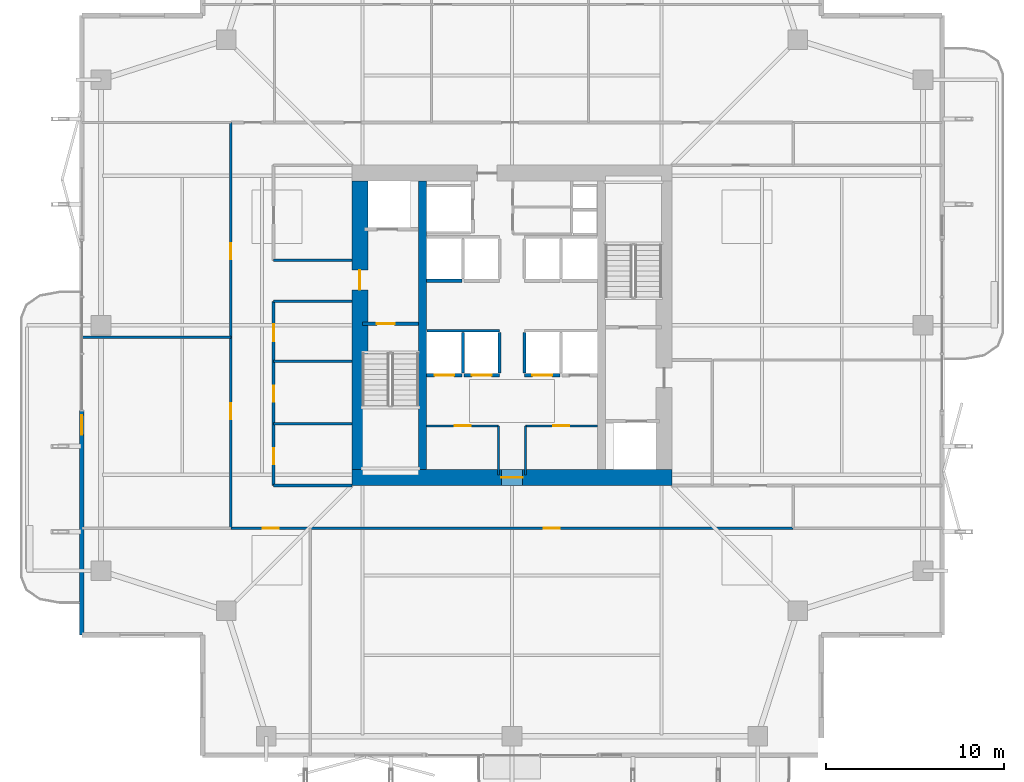
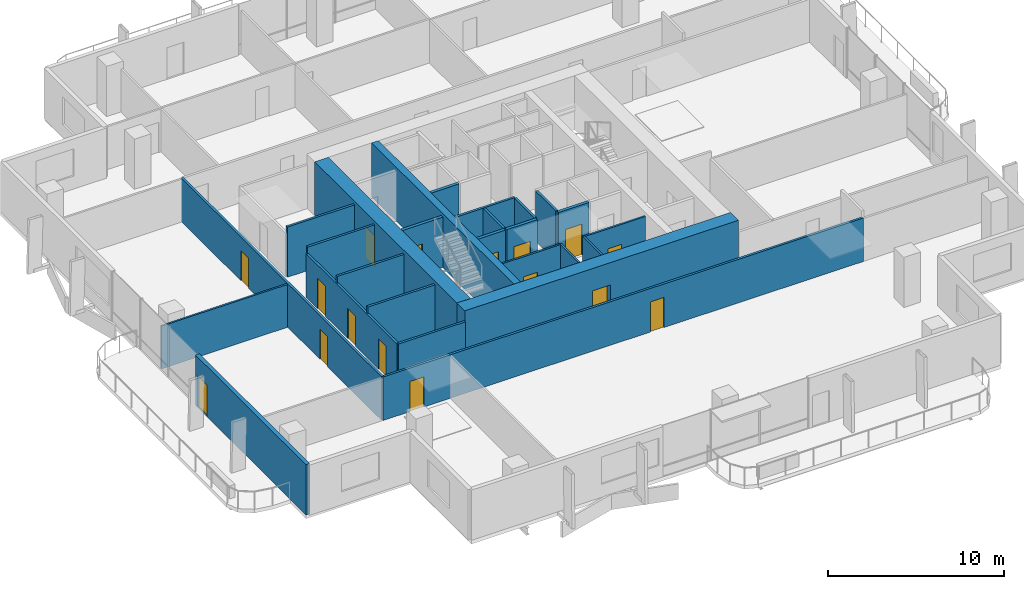
# One storey, part 18 of 25: 26 walls, 16 doors, 16 openings.
"""IFC4 building model written with IfcOpenShell, lengths in metres."""

import ifcopenshell
import ifcopenshell.guid

model = None  # the IFC model being written
_history = None  # IfcOwnerHistory: only IFC2X3 demands one
_inside = {}  # id of a spatial element -> (the spatial element, [elements in it])
_under = {}  # id of a project, library or spatial element -> (it, [spatial elements below it])
_declared = {}  # id of a project -> (the project, [libraries it declares])
_typed = {}  # id of a type object -> (the type object, [elements of that type])
_made_of = {}  # id of a material, layer set ... -> (it, [elements and type objects made of it])


def new_model(schema):
    """Start an empty IFC model of exactly this schema.

    Asked for "IFC4X3", IfcOpenShell would pick the latest addendum, in which some entities
    have other attributes; the version numbers below select the first issue.
    IFC2X3 requires an IfcOwnerHistory on every rooted entity: one is made here for all.
    """
    global model, _history
    if schema == "IFC4X3":
        model = ifcopenshell.file(schema_version=(4, 3, 0, 0))
    else:
        model = ifcopenshell.file(schema=schema)
    _inside.clear()
    _under.clear()
    _declared.clear()
    _typed.clear()
    _made_of.clear()
    _history = None
    if model.schema == "IFC2X3":
        org = make("IfcOrganization", Name="unknown")
        user = make(
            "IfcPersonAndOrganization",
            ThePerson=make("IfcPerson", FamilyName="unknown"),
            TheOrganization=org,
        )
        app = make(
            "IfcApplication",
            ApplicationDeveloper=org,
            Version="unknown",
            ApplicationFullName="unknown",
            ApplicationIdentifier="unknown",
        )
        _history = make(
            "IfcOwnerHistory",
            OwningUser=user,
            OwningApplication=app,
            ChangeAction="ADDED",
            CreationDate=0,
        )
    return model


def make(cls, **values):
    """One entity of the class cls with the attributes given. An attribute that is None is left unset."""
    return model.create_entity(
        cls, **{name: value for name, value in values.items() if value is not None}
    )


def rooted(cls, **values):
    """An entity with a GlobalId (a new one), such as an element, a storey or a relation."""
    return make(cls, GlobalId=ifcopenshell.guid.new(), OwnerHistory=_history, **values)


def si_unit(unit_type, name, prefix=None):
    """IfcSIUnit, for example si_unit("LENGTHUNIT", "METRE", prefix="MILLI")."""
    return make("IfcSIUnit", UnitType=unit_type, Prefix=prefix, Name=name)


def assignment(units):
    """IfcUnitAssignment: the units of a project."""
    return None if units is None else make("IfcUnitAssignment", Units=units)


def point(xyz):
    """IfcCartesianPoint."""
    return None if xyz is None else make("IfcCartesianPoint", Coordinates=xyz)


def direction(xyz):
    """IfcDirection."""
    return None if xyz is None else make("IfcDirection", DirectionRatios=xyz)


def frame(location, z_axis=None, x_axis=None):
    """IfcAxis2Placement3D, a coordinate frame: its origin and axes. An axis left out is left unset."""
    return make(
        "IfcAxis2Placement3D",
        Location=point(location),
        Axis=direction(z_axis),
        RefDirection=direction(x_axis),
    )


def frame_2d(location, x_axis=None):
    """IfcAxis2Placement2D, a coordinate frame in the plane: its origin and x axis."""
    return make(
        "IfcAxis2Placement2D", Location=point(location), RefDirection=direction(x_axis)
    )


def origin():
    """The frame at (0, 0, 0) with its axes left unset."""
    return frame((0.0, 0.0, 0.0))


def place(relative_to, where):
    """IfcLocalPlacement: puts the frame where relative to a parent placement (None: the world)."""
    return make(
        "IfcLocalPlacement", PlacementRelTo=relative_to, RelativePlacement=where
    )


def context(
    kind, dimensions, precision=None, world=None, true_north=None, identifier=None
):
    """IfcGeometricRepresentationContext, for example the 3D "Model" context."""
    return make(
        "IfcGeometricRepresentationContext",
        ContextIdentifier=identifier,
        ContextType=kind,
        CoordinateSpaceDimension=dimensions,
        Precision=precision,
        WorldCoordinateSystem=world,
        TrueNorth=true_north,
    )


def subcontext(parent, identifier, kind, view, scale=None):
    """IfcGeometricRepresentationSubContext, for example "Body" below "Model"."""
    return make(
        "IfcGeometricRepresentationSubContext",
        ContextIdentifier=identifier,
        ContextType=kind,
        ParentContext=parent,
        TargetScale=scale,
        TargetView=view,
    )


def project(units=None, contexts=None):
    """IfcProject with its units and contexts."""
    return rooted(
        "IfcProject",
        Name="project",
        RepresentationContexts=contexts,
        UnitsInContext=assignment(units),
    )


def spatial(cls, under=None, at=None, **own):
    """A site, building, storey or space (cls), placed at a placement, below another one or the project."""
    s = rooted(cls, ObjectPlacement=at, **own)
    if under is not None:
        _under.setdefault(under.id(), (under, []))[1].append(s)
    return s


def profile(cls, at=None, kind="AREA", **sizes):
    """A parametric profile (cls). Its sizes go by their IFC names, for example OverallWidth=200.0."""
    return make(cls, ProfileType=kind, Position=at, **sizes)


def rectangle(**sizes):
    """IfcRectangleProfileDef."""
    return profile("IfcRectangleProfileDef", **sizes)


def extrude(swept, where, along, depth):
    """IfcExtrudedAreaSolid: the profile swept, set in the frame where, extruded along a direction by depth."""
    return make(
        "IfcExtrudedAreaSolid",
        SweptArea=swept,
        Position=where,
        ExtrudedDirection=direction(along),
        Depth=depth,
    )


def shape(context_of_items, identifier, shape_type, items):
    """IfcShapeRepresentation: the items that make up one representation, for example the "Body"."""
    return make(
        "IfcShapeRepresentation",
        ContextOfItems=context_of_items,
        RepresentationIdentifier=identifier,
        RepresentationType=shape_type,
        Items=items,
    )


def material(Name=None, Category=None):
    """IfcMaterial."""
    return make("IfcMaterial", Name=Name, Category=Category)


def layer(
    of_material, thickness, ventilated=None, Name=None, Category=None, Priority=None
):
    """IfcMaterialLayer: one layer of a wall or slab, of a material (None: an air gap)."""
    return make(
        "IfcMaterialLayer",
        Material=of_material,
        LayerThickness=thickness,
        IsVentilated=ventilated,
        Name=Name,
        Category=Category,
        Priority=Priority,
    )


def layer_set(layers, Name=None):
    """IfcMaterialLayerSet."""
    return make("IfcMaterialLayerSet", MaterialLayers=layers, LayerSetName=Name)


def made_of(thing, what):
    """Note that an element or type object is made of a material, layer set ...; save() writes the relation."""
    if what is not None:
        _made_of.setdefault(what.id(), (what, []))[1].append(thing)
    return thing


def type_object(cls, material=None, **own):
    """A type object (cls), such as IfcWallType, which elements share."""
    return made_of(rooted(cls, **own), material)


def element(
    cls,
    number,
    at=None,
    inside=None,
    cuts=None,
    type_object=None,
    material=None,
    context=None,
    identifier="Body",
    shape_type=None,
    held_by="IfcProductDefinitionShape",
    body=None,
    shapes=None,
    **own,
):
    """One element of the class cls, such as IfcWall. Its Tag is "e" and its number.

    at: its placement. inside: the storey or other place that contains it. cuts: it is an
    opening in that element (IfcRelVoidsElement). A single representation is given by context,
    identifier, shape_type and body (its items); several are given by shapes. held_by: the class
    of the entity that holds the representations. save() writes the other relations.
    """
    e = rooted(cls, Tag="e%d" % number, ObjectPlacement=at, **own)
    if body is not None:
        shapes = [shape(context, identifier, shape_type, body)]
    if shapes is not None:
        e.Representation = make(held_by, Representations=shapes)
    if inside is not None:
        _inside.setdefault(inside.id(), (inside, []))[1].append(e)
    if cuts is not None:
        rooted(
            "IfcRelVoidsElement", RelatingBuildingElement=cuts, RelatedOpeningElement=e
        )
    if type_object is not None:
        _typed.setdefault(type_object.id(), (type_object, []))[1].append(e)
    return made_of(e, material)


def fill(opening, filler):
    """IfcRelFillsElement: the door or window that sits in an opening."""
    return rooted(
        "IfcRelFillsElement",
        RelatingOpeningElement=opening,
        RelatedBuildingElement=filler,
    )


def aggregate(whole, parts):
    """IfcRelAggregates: a whole, such as a stair, and the parts it consists of."""
    return rooted("IfcRelAggregates", RelatingObject=whole, RelatedObjects=parts)


def save(model, path):
    """Write the relations noted so far, then the file.

    IfcRelAggregates (storeys below a building ...), IfcRelContainedInSpatialStructure (elements
    in a storey), IfcRelDefinesByType, IfcRelAssociatesMaterial and IfcRelDeclares: one each for
    every whole, place, type object, material and project.
    """
    for whole, parts in _under.values():
        aggregate(whole, parts)
    for where, things in _inside.values():
        rooted(
            "IfcRelContainedInSpatialStructure",
            RelatedElements=things,
            RelatingStructure=where,
        )
    for kind, things in _typed.values():
        rooted("IfcRelDefinesByType", RelatedObjects=things, RelatingType=kind)
    for what, things in _made_of.values():
        rooted("IfcRelAssociatesMaterial", RelatedObjects=things, RelatingMaterial=what)
    for by, libraries in _declared.values():
        rooted("IfcRelDeclares", RelatingContext=by, RelatedDefinitions=libraries)
    model.write(path)


model = new_model("IFC4")

# Units and contexts
model_context = context("Model", 3, precision=1e-05, world=origin(), true_north=direction((0.0, 1.0)))
body_context = subcontext(model_context, "Body", "Model", "MODEL_VIEW")
ifc_project = project(units=[si_unit("LENGTHUNIT", "METRE"), si_unit("AREAUNIT", "SQUARE_METRE"), si_unit("VOLUMEUNIT", "CUBIC_METRE"), si_unit("PLANEANGLEUNIT", "RADIAN"), si_unit("MASSUNIT", "GRAM", prefix="KILO")], contexts=[model_context])

# Site, building, storey
site_placement = place(None, origin())
site = spatial("IfcSite", under=ifc_project, at=site_placement, CompositionType="ELEMENT")
building_placement = place(site_placement, origin())
building = spatial("IfcBuilding", under=site, at=building_placement, Name="Belovzor Exchange Tower", CompositionType="ELEMENT")
storey_placement = place(building_placement, frame((0.0, 0.0, 164.550048828125)))
storey = spatial("IfcBuildingStorey", under=building, at=storey_placement, Name="L40", CompositionType="ELEMENT", Elevation=164.550048828125)

# Wall
ifc_material_1 = material(Name="Acoustic Plasterboard on Galvanised Studs", Category="gypsum")
ifc_layer_1 = layer(ifc_material_1, 0.1201171875)
ifc_layer_set_1 = layer_set([ifc_layer_1], Name="Acoustic Plasterboard on Galvanised Studs")
wall_type_1 = type_object("IfcWallType", Name="Acoustic Double-Stud Partition Wall 120", PredefinedType="PARTITIONING", material=ifc_layer_set_1)
wall_1_placement = place(storey_placement, frame((4.6298828125, 28.1298828125, 0.0), z_axis=(0.0, 0.0, 1.0), x_axis=(1.0, 0.0, 0.0)))
element("IfcWall", 1, at=wall_1_placement, inside=storey, type_object=wall_type_1, Name="W-P120 Partition Wall W-L40-WDIV-1", PredefinedType="PARTITIONING", context=body_context, shape_type="SweptSolid", body=[
    extrude(rectangle(XDim=8.3701171875, YDim=0.1201171875, at=frame_2d((4.18505859375, 0.0))), origin(), (0.0, 0.0, 1.0), 2.97998046875),
])

# Wall, opening, door
ifc_material_2 = material(Name="Fire-Rated Plasterboard on Galvanised Studs", Category="gypsum")
ifc_layer_2 = layer(ifc_material_2, 0.1201171875)
ifc_layer_set_2 = layer_set([ifc_layer_2], Name="Fire-Rated Plasterboard on Galvanised Studs")
wall_type_2 = type_object("IfcWallType", Name="Fire-Rated Double-Stud Partition Wall 120", PredefinedType="PARTITIONING", material=ifc_layer_set_2)
wall_2_placement = place(storey_placement, frame((24.0, 23.14990234375, 0.0), z_axis=(0.0, 0.0, 1.0), x_axis=(1.0, 0.0, 0.0)))
wall_2 = element("IfcWall", 2, at=wall_2_placement, inside=storey, type_object=wall_type_2, Name="W-P120F Partition Wall W-CRL-L40-WN", PredefinedType="PARTITIONING", context=body_context, shape_type="SweptSolid", body=[
    extrude(rectangle(XDim=4.050048828125, YDim=0.1201171875, at=frame_2d((2.02490234375, 0.0))), origin(), (0.0, 0.0, 1.0), 3.494873046875),
])
opening_1_placement = place(wall_2_placement, frame((1.574951171875, 0.0, 0.0)))
opening_1 = element("IfcOpeningElement", 3, at=opening_1_placement, cuts=wall_2, Name="Opening D-FD60-090", PredefinedType="OPENING", context=body_context, shape_type="SweptSolid", body=[
    extrude(rectangle(XDim=0.89990234375, YDim=2.10009765625, at=frame_2d((0.449951171875, 1.050048828125))), frame((0.0, 0.070068359375, 0.0), z_axis=(0.0, -1.0, 0.0), x_axis=(1.0, 0.0, 0.0)), (0.0, 0.0, 1.0), 0.14013671875),
])
ifc_material_3 = material(Name="Acoustic Timber Fire Leaf", Category="wood")
door_type_1 = type_object("IfcDoorType", Name="Core Service & Restroom Fire Door 900x2100", OperationType="NOTDEFINED", PredefinedType="DOOR", material=ifc_material_3)
door_1_placement = place(opening_1_placement, origin())
door_1 = element("IfcDoor", 4, at=door_1_placement, inside=storey, type_object=door_type_1, Name="D-FD60-090 Core Service & Restroom Fire Door 900x2100", OperationType="SINGLE_SWING_LEFT", OverallHeight=2.10009765625, OverallWidth=0.89990234375, PredefinedType="DOOR", context=body_context, shape_type="SweptSolid", body=[
    extrude(rectangle(XDim=0.89990234375, YDim=2.10009765625, at=frame_2d((0.449951171875, 1.050048828125))), frame((0.0, 0.02490234375, 0.0), z_axis=(0.0, -1.0, 0.0), x_axis=(1.0, 0.0, 0.0)), (0.0, 0.0, 1.0), 0.050048828125),
])
fill(opening_1, door_1)

# Wall
wall_3_placement = place(storey_placement, frame((28.050048828125, 20.39990234375, 0.0), z_axis=(0.0, 0.0, 1.0), x_axis=(0.0, 1.0, 0.0)))
element("IfcWall", 5, at=wall_3_placement, inside=storey, type_object=wall_type_2, Name="W-P120F Partition Wall W-CRL-L40-WE", PredefinedType="PARTITIONING", context=body_context, shape_type="SweptSolid", body=[
    extrude(rectangle(XDim=2.75, YDim=0.1201171875, at=frame_2d((1.375, 0.0))), origin(), (0.0, 0.0, 1.0), 3.494873046875),
])

# Wall, opening, door
wall_4_placement = place(storey_placement, frame((29.550048828125, 23.14990234375, 0.0), z_axis=(0.0, 0.0, 1.0), x_axis=(1.0, 0.0, 0.0)))
wall_4 = element("IfcWall", 6, at=wall_4_placement, inside=storey, type_object=wall_type_2, Name="W-P120F Partition Wall W-CRL-L40-EN", PredefinedType="PARTITIONING", context=body_context, shape_type="SweptSolid", body=[
    extrude(rectangle(XDim=4.050048828125, YDim=0.1201171875, at=frame_2d((2.02490234375, 0.0))), origin(), (0.0, 0.0, 1.0), 3.494873046875),
])
opening_2_placement = place(wall_4_placement, frame((1.574951171875, 0.0, 0.0)))
opening_2 = element("IfcOpeningElement", 7, at=opening_2_placement, cuts=wall_4, Name="Opening D-FD60-090", PredefinedType="OPENING", context=body_context, shape_type="SweptSolid", body=[
    extrude(rectangle(XDim=0.89990234375, YDim=2.10009765625, at=frame_2d((0.449951171875, 1.050048828125))), frame((0.0, 0.070068359375, 0.0), z_axis=(0.0, -1.0, 0.0), x_axis=(1.0, 0.0, 0.0)), (0.0, 0.0, 1.0), 0.14013671875),
])
door_2_placement = place(opening_2_placement, origin())
door_2 = element("IfcDoor", 8, at=door_2_placement, inside=storey, type_object=door_type_1, Name="D-FD60-090 Core Service & Restroom Fire Door 900x2100", OperationType="SINGLE_SWING_RIGHT", OverallHeight=2.10009765625, OverallWidth=0.89990234375, PredefinedType="DOOR", context=body_context, shape_type="SweptSolid", body=[
    extrude(rectangle(XDim=0.89990234375, YDim=2.10009765625, at=frame_2d((0.449951171875, 1.050048828125))), frame((0.0, 0.02490234375, 0.0), z_axis=(0.0, -1.0, 0.0), x_axis=(1.0, 0.0, 0.0)), (0.0, 0.0, 1.0), 0.050048828125),
])
fill(opening_2, door_2)

# Walls
wall_5_placement = place(storey_placement, frame((29.550048828125, 20.39990234375, 0.0), z_axis=(0.0, 0.0, 1.0), x_axis=(0.0, 1.0, 0.0)))
element("IfcWall", 9, at=wall_5_placement, inside=storey, type_object=wall_type_2, Name="W-P120F Partition Wall W-CRL-L40-EW", PredefinedType="PARTITIONING", context=body_context, shape_type="SweptSolid", body=[
    extrude(rectangle(XDim=2.75, YDim=0.1201171875, at=frame_2d((1.375, 0.0))), origin(), (0.0, 0.0, 1.0), 3.494873046875),
])
ifc_material_4 = material(Name="Fire-Rated Gypsum Block and Mineral Wool", Category="gypsum")
ifc_layer_3 = layer(ifc_material_4, 0.14990234375)
ifc_layer_set_3 = layer_set([ifc_layer_3], Name="Fire-Rated Gypsum Block and Mineral Wool")
wall_type_3 = type_object("IfcWallType", Name="Fire-Rated Gypsum Block Corridor Wall 150", PredefinedType="PARTITIONING", material=ifc_layer_set_3)
wall_6_placement = place(storey_placement, frame((15.39990234375, 19.800048828125, 0.0), z_axis=(0.0, 0.0, 1.0), x_axis=(1.0, 0.0, 0.0)))
element("IfcWall", 10, at=wall_6_placement, inside=storey, type_object=wall_type_3, Name="W-P150 Partition Wall W-L40-WIC-S", PredefinedType="PARTITIONING", context=body_context, shape_type="SweptSolid", body=[
    extrude(rectangle(XDim=4.400146484375, YDim=0.14990234375, at=frame_2d((2.2001953125, 0.0))), origin(), (0.0, 0.0, 1.0), 3.030029296875),
])
for number, where, z_axis, x_axis, name in (
    (11, (15.39990234375, 23.27490234375, 0.0), (0.0, 0.0, 1.0), (1.0, 0.0, 0.0), "W-P150 Partition Wall W-L40-WIC-D1"),
    (12, (15.39990234375, 26.77490234375, 0.0), (0.0, 0.0, 1.0), (1.0, 0.0, 0.0), "W-P150 Partition Wall W-L40-WIC-D2"),
    (13, (15.39990234375, 30.14990234375, 0.0), (0.0, 0.0, 1.0), (1.0, 0.0, 0.0), "W-P150 Partition Wall W-L40-WIC-N"),
    (14, (15.39990234375, 32.449951171875, 0.0), (0.0, 0.0, 1.0), (1.0, 0.0, 0.0), "W-P150 Partition Wall W-L40-CFW-N"),
):
    element("IfcWall", number, at=place(storey_placement, frame(where, z_axis=z_axis, x_axis=x_axis)), inside=storey, type_object=wall_type_3, Name=name, PredefinedType="PARTITIONING", context=body_context, shape_type="SweptSolid", body=[
        extrude(rectangle(XDim=4.400146484375, YDim=0.14990234375, at=frame_2d((2.2001953125, 0.0))), origin(), (0.0, 0.0, 1.0), 3.494873046875),
    ])

# Wall, openings, doors
wall_7_placement = place(storey_placement, frame((15.39990234375, 19.800048828125, 0.0), z_axis=(0.0, 0.0, 1.0), x_axis=(0.0, 1.0, 0.0)))
wall_7 = element("IfcWall", 15, at=wall_7_placement, inside=storey, type_object=wall_type_3, Name="W-P150 Partition Wall W-L40-WIE-S", PredefinedType="PARTITIONING", context=body_context, shape_type="SweptSolid", body=[
    extrude(rectangle(XDim=10.349853515625, YDim=0.14990234375, at=frame_2d((5.1748046875, 0.0))), origin(), (0.0, 0.0, 1.0), 3.030029296875),
])
opening_3_placement = place(wall_7_placement, frame((1.199951171875, 0.0, 0.0)))
opening_3 = element("IfcOpeningElement", 16, at=opening_3_placement, cuts=wall_7, Name="Opening D-FD60-090", PredefinedType="OPENING", context=body_context, shape_type="SweptSolid", body=[
    extrude(rectangle(XDim=0.89990234375, YDim=2.10009765625, at=frame_2d((0.449951171875, 1.050048828125))), frame((0.0, 0.0849609375, 0.0), z_axis=(0.0, -1.0, 0.0), x_axis=(1.0, 0.0, 0.0)), (0.0, 0.0, 1.0), 0.169921875),
])
opening_4_placement = place(wall_7_placement, frame((4.699951171875, 0.0, 0.0)))
opening_4 = element("IfcOpeningElement", 17, at=opening_4_placement, cuts=wall_7, Name="Opening D-FD60-090", PredefinedType="OPENING", context=body_context, shape_type="SweptSolid", body=[
    extrude(rectangle(XDim=0.89990234375, YDim=2.10009765625, at=frame_2d((0.449951171875, 1.050048828125))), frame((0.0, 0.0849609375, 0.0), z_axis=(0.0, -1.0, 0.0), x_axis=(1.0, 0.0, 0.0)), (0.0, 0.0, 1.0), 0.169921875),
])
opening_5_placement = place(wall_7_placement, frame((8.10009765625, 0.0, 0.0)))
opening_5 = element("IfcOpeningElement", 18, at=opening_5_placement, cuts=wall_7, Name="Opening D-FD60-095", PredefinedType="OPENING", context=body_context, shape_type="SweptSolid", body=[
    extrude(rectangle(XDim=0.949951171875, YDim=2.10009765625, at=frame_2d((0.47509765625, 1.050048828125))), frame((0.0, 0.0849609375, 0.0), z_axis=(0.0, -1.0, 0.0), x_axis=(1.0, 0.0, 0.0)), (0.0, 0.0, 1.0), 0.169921875),
])
ifc_material_5 = material(Name="Moisture-Resistant Timber Fire Leaf", Category="wood")
door_type_2 = type_object("IfcDoorType", Name="Accessible Restroom Wide Fire Door 950x2100", OperationType="NOTDEFINED", PredefinedType="DOOR", material=ifc_material_5)
door_3_placement = place(opening_5_placement, origin())
door_3 = element("IfcDoor", 19, at=door_3_placement, inside=storey, type_object=door_type_2, Name="D-FD60-095 Accessible Restroom Wide Fire Door 950x2100", OperationType="SINGLE_SWING_LEFT", OverallHeight=2.10009765625, OverallWidth=0.949951171875, PredefinedType="DOOR", context=body_context, shape_type="SweptSolid", body=[
    extrude(rectangle(XDim=0.949951171875, YDim=2.10009765625, at=frame_2d((0.47509765625, 1.050048828125))), frame((0.0, 0.02490234375, 0.0), z_axis=(0.0, -1.0, 0.0), x_axis=(1.0, 0.0, 0.0)), (0.0, 0.0, 1.0), 0.050048828125),
])
fill(opening_5, door_3)
door_4_placement = place(opening_3_placement, origin())
door_4 = element("IfcDoor", 20, at=door_4_placement, inside=storey, type_object=door_type_1, Name="D-FD60-090 Core Service & Restroom Fire Door 900x2100", OperationType="SINGLE_SWING_LEFT", OverallHeight=2.10009765625, OverallWidth=0.89990234375, PredefinedType="DOOR", context=body_context, shape_type="SweptSolid", body=[
    extrude(rectangle(XDim=0.89990234375, YDim=2.10009765625, at=frame_2d((0.449951171875, 1.050048828125))), frame((0.0, 0.02490234375, 0.0), z_axis=(0.0, -1.0, 0.0), x_axis=(1.0, 0.0, 0.0)), (0.0, 0.0, 1.0), 0.050048828125),
])
fill(opening_3, door_4)
door_5_placement = place(opening_4_placement, origin())
door_5 = element("IfcDoor", 21, at=door_5_placement, inside=storey, type_object=door_type_1, Name="D-FD60-090 Core Service & Restroom Fire Door 900x2100", OperationType="SINGLE_SWING_RIGHT", OverallHeight=2.10009765625, OverallWidth=0.89990234375, PredefinedType="DOOR", context=body_context, shape_type="SweptSolid", body=[
    extrude(rectangle(XDim=0.89990234375, YDim=2.10009765625, at=frame_2d((0.449951171875, 1.050048828125))), frame((0.0, 0.02490234375, 0.0), z_axis=(0.0, -1.0, 0.0), x_axis=(1.0, 0.0, 0.0)), (0.0, 0.0, 1.0), 0.050048828125),
])
fill(opening_4, door_5)

wall_8_placement = place(storey_placement, frame((13.0, 17.39990234375, 0.0), z_axis=(0.0, 0.0, 1.0), x_axis=(1.0, 0.0, 0.0)))
wall_8 = element("IfcWall", 22, at=wall_8_placement, inside=storey, type_object=wall_type_3, Name="W-P150 Partition Wall W-L40-CS", PredefinedType="PARTITIONING", context=body_context, shape_type="SweptSolid", body=[
    extrude(rectangle(XDim=31.60009765625, YDim=0.14990234375, at=frame_2d((15.800048828125, 0.0))), origin(), (0.0, 0.0, 1.0), 3.030029296875),
])
opening_6_placement = place(wall_8_placement, frame((1.780029296875, 0.0, 0.0)))
opening_6 = element("IfcOpeningElement", 23, at=opening_6_placement, cuts=wall_8, Name="Opening D-INT-090", PredefinedType="OPENING", context=body_context, shape_type="SweptSolid", body=[
    extrude(rectangle(XDim=0.89990234375, YDim=2.10009765625, at=frame_2d((0.449951171875, 1.050048828125))), frame((0.0, 0.0849609375, 0.0), z_axis=(0.0, -1.0, 0.0), x_axis=(1.0, 0.0, 0.0)), (0.0, 0.0, 1.0), 0.169921875),
])
opening_7_placement = place(wall_8_placement, frame((17.580078125, 0.0, 0.0)))
opening_7 = element("IfcOpeningElement", 24, at=opening_7_placement, cuts=wall_8, Name="Opening D-INT-090", PredefinedType="OPENING", context=body_context, shape_type="SweptSolid", body=[
    extrude(rectangle(XDim=0.89990234375, YDim=2.10009765625, at=frame_2d((0.449951171875, 1.050048828125))), frame((0.0, 0.0849609375, 0.0), z_axis=(0.0, -1.0, 0.0), x_axis=(1.0, 0.0, 0.0)), (0.0, 0.0, 1.0), 0.169921875),
])
ifc_material_6 = material(Name="Veneered Hardwood Acoustic Leaf", Category="wood")
door_type_3 = type_object("IfcDoorType", Name="Trading Suite Acoustic Single Door 900x2100", OperationType="NOTDEFINED", PredefinedType="DOOR", material=ifc_material_6)
door_6_placement = place(opening_6_placement, origin())
door_6 = element("IfcDoor", 25, at=door_6_placement, inside=storey, type_object=door_type_3, Name="D-INT-090 Trading Suite Acoustic Single Door 900x2100", OperationType="SINGLE_SWING_LEFT", OverallHeight=2.10009765625, OverallWidth=0.89990234375, PredefinedType="DOOR", context=body_context, shape_type="SweptSolid", body=[
    extrude(rectangle(XDim=0.89990234375, YDim=2.10009765625, at=frame_2d((0.449951171875, 1.050048828125))), frame((0.0, 0.02490234375, 0.0), z_axis=(0.0, -1.0, 0.0), x_axis=(1.0, 0.0, 0.0)), (0.0, 0.0, 1.0), 0.050048828125),
])
fill(opening_6, door_6)
door_7_placement = place(opening_7_placement, origin())
door_7 = element("IfcDoor", 26, at=door_7_placement, inside=storey, type_object=door_type_3, Name="D-INT-090 Trading Suite Acoustic Single Door 900x2100", OperationType="SINGLE_SWING_RIGHT", OverallHeight=2.10009765625, OverallWidth=0.89990234375, PredefinedType="DOOR", context=body_context, shape_type="SweptSolid", body=[
    extrude(rectangle(XDim=0.89990234375, YDim=2.10009765625, at=frame_2d((0.449951171875, 1.050048828125))), frame((0.0, 0.02490234375, 0.0), z_axis=(0.0, -1.0, 0.0), x_axis=(1.0, 0.0, 0.0)), (0.0, 0.0, 1.0), 0.050048828125),
])
fill(opening_7, door_7)

wall_9_placement = place(storey_placement, frame((13.0, 17.39990234375, 0.0), z_axis=(0.0, 0.0, 1.0), x_axis=(0.0, 1.0, 0.0)))
wall_9 = element("IfcWall", 27, at=wall_9_placement, inside=storey, type_object=wall_type_3, Name="W-P150 Partition Wall W-L40-CWO", PredefinedType="PARTITIONING", context=body_context, shape_type="SweptSolid", body=[
    extrude(rectangle(XDim=22.800048828125, YDim=0.14990234375, at=frame_2d((11.39990234375, 0.0))), origin(), (0.0, 0.0, 1.0), 3.030029296875),
])
opening_8_placement = place(wall_9_placement, frame((6.114990234375, 0.0, 0.0)))
opening_8 = element("IfcOpeningElement", 28, at=opening_8_placement, cuts=wall_9, Name="Opening D-INT-090", PredefinedType="OPENING", context=body_context, shape_type="SweptSolid", body=[
    extrude(rectangle(XDim=0.89990234375, YDim=2.10009765625, at=frame_2d((0.449951171875, 1.050048828125))), frame((0.0, 0.0849609375, 0.0), z_axis=(0.0, -1.0, 0.0), x_axis=(1.0, 0.0, 0.0)), (0.0, 0.0, 1.0), 0.169921875),
])
opening_9_placement = place(wall_9_placement, frame((15.114990234375, 0.0, 0.0)))
opening_9 = element("IfcOpeningElement", 29, at=opening_9_placement, cuts=wall_9, Name="Opening D-INT-090", PredefinedType="OPENING", context=body_context, shape_type="SweptSolid", body=[
    extrude(rectangle(XDim=0.89990234375, YDim=2.10009765625, at=frame_2d((0.449951171875, 1.050048828125))), frame((0.0, 0.0849609375, 0.0), z_axis=(0.0, -1.0, 0.0), x_axis=(1.0, 0.0, 0.0)), (0.0, 0.0, 1.0), 0.169921875),
])
door_8_placement = place(opening_8_placement, origin())
door_8 = element("IfcDoor", 30, at=door_8_placement, inside=storey, type_object=door_type_3, Name="D-INT-090 Trading Suite Acoustic Single Door 900x2100", OperationType="SINGLE_SWING_LEFT", OverallHeight=2.10009765625, OverallWidth=0.89990234375, PredefinedType="DOOR", context=body_context, shape_type="SweptSolid", body=[
    extrude(rectangle(XDim=0.89990234375, YDim=2.10009765625, at=frame_2d((0.449951171875, 1.050048828125))), frame((0.0, 0.02490234375, 0.0), z_axis=(0.0, -1.0, 0.0), x_axis=(1.0, 0.0, 0.0)), (0.0, 0.0, 1.0), 0.050048828125),
])
fill(opening_8, door_8)
door_9_placement = place(opening_9_placement, origin())
door_9 = element("IfcDoor", 31, at=door_9_placement, inside=storey, type_object=door_type_3, Name="D-INT-090 Trading Suite Acoustic Single Door 900x2100", OperationType="SINGLE_SWING_LEFT", OverallHeight=2.10009765625, OverallWidth=0.89990234375, PredefinedType="DOOR", context=body_context, shape_type="SweptSolid", body=[
    extrude(rectangle(XDim=0.89990234375, YDim=2.10009765625, at=frame_2d((0.449951171875, 1.050048828125))), frame((0.0, 0.02490234375, 0.0), z_axis=(0.0, -1.0, 0.0), x_axis=(1.0, 0.0, 0.0)), (0.0, 0.0, 1.0), 0.050048828125),
])
fill(opening_9, door_9)

# Wall, opening, door
ifc_material_7 = material(Name="Precast concrete C40/50", Category="concrete")
ifc_layer_4 = layer(ifc_material_7, 0.260009765625)
ifc_layer_set_4 = layer_set([ifc_layer_4], Name="Precast concrete C40/50")
wall_type_4 = type_object("IfcWallType", Name="Precast Concrete Perimeter Loggia Frame Wall 260", PredefinedType="SOLIDWALL", material=ifc_layer_set_4)
wall_10_placement = place(storey_placement, frame((4.6298828125, 11.39990234375, 0.0), z_axis=(0.0, 0.0, 1.0), x_axis=(0.0, 1.0, 0.0)))
wall_10 = element("IfcWall", 32, at=wall_10_placement, inside=storey, type_object=wall_type_4, Name="W-EXT260 Precast Concrete Perimeter Loggia Frame Wall 260 L40", PredefinedType="SOLIDWALL", context=body_context, shape_type="SweptSolid", body=[
    extrude(rectangle(XDim=12.60009765625, YDim=0.260009765625, at=frame_2d((6.300048828125, 0.0))), origin(), (0.0, 0.0, 1.0), 3.494873046875),
])
opening_10_placement = place(wall_10_placement, frame((11.25, 0.0, 0.0)))
opening_10 = element("IfcOpeningElement", 33, at=opening_10_placement, cuts=wall_10, Name="Opening D-BAL110", PredefinedType="OPENING", context=body_context, shape_type="SweptSolid", body=[
    extrude(rectangle(XDim=1.10009765625, YDim=2.199951171875, at=frame_2d((0.550048828125, 1.10009765625))), frame((0.0, 0.139892578125, 0.0), z_axis=(0.0, -1.0, 0.0), x_axis=(1.0, 0.0, 0.0)), (0.0, 0.0, 1.0), 0.280029296875),
])
ifc_material_8 = material(Name="Thermally Broken Anodised Aluminium and Laminated Glass", Category="aluminium")
door_type_4 = type_object("IfcDoorType", Name="Planted Loggia Terrace Glazed Door 1100x2200", OperationType="SINGLE_SWING_LEFT", PredefinedType="DOOR", material=ifc_material_8)
door_10_placement = place(opening_10_placement, origin())
door_10 = element("IfcDoor", 34, at=door_10_placement, inside=storey, type_object=door_type_4, Name="D-BAL110 Balcony Terrace Door L40 W", OperationType="SINGLE_SWING_RIGHT", OverallHeight=2.199951171875, OverallWidth=1.10009765625, PredefinedType="DOOR", context=body_context, shape_type="SweptSolid", body=[
    extrude(rectangle(XDim=1.10009765625, YDim=2.199951171875, at=frame_2d((0.550048828125, 1.10009765625))), frame((0.0, 0.02490234375, 0.0), z_axis=(0.0, -1.0, 0.0), x_axis=(1.0, 0.0, 0.0)), (0.0, 0.0, 1.0), 0.050048828125),
])
fill(opening_10, door_10)

# Walls
ifc_material_9 = material(Name="Concrete C50/60", Category="concrete")
ifc_layer_5 = layer(ifc_material_9, 0.449951171875)
ifc_layer_set_5 = layer_set([ifc_layer_5], Name="Concrete C50/60")
wall_type_5 = type_object("IfcWallType", Name="Reinforced Concrete Core Internal Web Wall 450", PredefinedType="SHEAR", material=ifc_layer_set_5)
wall_11_placement = place(storey_placement, frame((23.77490234375, 20.699951171875, 0.0), z_axis=(0.0, 0.0, 1.0), x_axis=(0.0, 1.0, 0.0)))
element("IfcWall", 35, at=wall_11_placement, inside=storey, type_object=wall_type_5, Name="CW-W045 Core Internal Web Wall L40 WL", PredefinedType="SHEAR", context=body_context, shape_type="SweptSolid", body=[
    extrude(rectangle(XDim=16.199951171875, YDim=0.449951171875, at=frame_2d((8.10009765625, 0.0))), origin(), (0.0, 0.0, 1.0), 3.75),
])
ifc_material_10 = material(Name="Concrete C50/60", Category="concrete")
ifc_layer_6 = layer(ifc_material_10, 0.14990234375)
ifc_layer_set_6 = layer_set([ifc_layer_6], Name="Concrete C50/60")
wall_type_6 = type_object("IfcWallType", Name="Reinforced Concrete Core Riser Shear Wall 150", PredefinedType="SHEAR", material=ifc_layer_set_6)
wall_12_placement = place(storey_placement, frame((24.02001953125, 28.5, 0.0), z_axis=(0.0, 0.0, 1.0), x_axis=(1.0, 0.0, 0.0)))
element("IfcWall", 36, at=wall_12_placement, inside=storey, type_object=wall_type_6, Name="W-C150S Core Shaft Wall W-SHB-L40-PLM-NW", PredefinedType="SHEAR", context=body_context, shape_type="SweptSolid", body=[
    extrude(rectangle(XDim=4.080078125, YDim=0.14990234375, at=frame_2d((2.0400390625, 0.0))), origin(), (0.0, 0.0, 1.0), 3.494873046875),
])
for number, where, z_axis, x_axis, name in (
    (37, (26.050048828125, 26.1201171875, 0.0), (0.0, 0.0, 1.0), (0.0, 1.0, 0.0), "W-C150S Core Shaft Wall W-SHD-L40-PLM-1"),
    (38, (28.10009765625, 26.1201171875, 0.0), (0.0, 0.0, 1.0), (0.0, 1.0, 0.0), "W-C150S Core Shaft Wall W-SHD-L40-PLM-2"),
    (39, (29.5, 26.1201171875, 0.0), (0.0, 0.0, 1.0), (0.0, 1.0, 0.0), "W-C150S Core Shaft Wall W-SHD-L40-PLM-3"),
):
    element("IfcWall", number, at=place(storey_placement, frame(where, z_axis=z_axis, x_axis=x_axis)), inside=storey, type_object=wall_type_6, Name=name, PredefinedType="SHEAR", context=body_context, shape_type="SweptSolid", body=[
        extrude(rectangle(XDim=2.27978515625, YDim=0.14990234375, at=frame_2d((1.139892578125, 0.0))), origin(), (0.0, 0.0, 1.0), 3.494873046875),
    ])

# Wall, opening, door
ifc_material_11 = material(Name="Concrete C50/60", Category="concrete")
ifc_layer_7 = layer(ifc_material_11, 0.199951171875)
ifc_layer_set_7 = layer_set([ifc_layer_7], Name="Concrete C50/60")
wall_type_7 = type_object("IfcWallType", Name="Reinforced Concrete Core Shaft Shear Wall 200", PredefinedType="SHEAR", material=ifc_layer_set_7)
wall_13_placement = place(storey_placement, frame((20.39990234375, 28.89990234375, 0.0), z_axis=(0.0, 0.0, 1.0), x_axis=(1.0, 0.0, 0.0)))
wall_13 = element("IfcWall", 40, at=wall_13_placement, inside=storey, type_object=wall_type_7, Name="W-C200S Core Shaft Wall W-CORE-L40-FFLW1", PredefinedType="SHEAR", context=body_context, shape_type="SweptSolid", body=[
    extrude(rectangle(XDim=3.150146484375, YDim=0.199951171875, at=frame_2d((1.5751953125, 0.0))), origin(), (0.0, 0.0, 1.0), 3.494873046875),
])
opening_11_placement = place(wall_13_placement, frame((0.800048828125, 0.0, 0.0)))
opening_11 = element("IfcOpeningElement", 41, at=opening_11_placement, cuts=wall_13, Name="Opening D-FD90-100", PredefinedType="OPENING", context=body_context, shape_type="SweptSolid", body=[
    extrude(rectangle(XDim=1.0, YDim=2.10009765625, at=frame_2d((0.5, 1.050048828125))), frame((0.0, 0.10986328125, 0.0), z_axis=(0.0, -1.0, 0.0), x_axis=(1.0, 0.0, 0.0)), (0.0, 0.0, 1.0), 0.219970703125),
])
ifc_material_12 = material(Name="Fire-Rated Galvanised Steel Leaf", Category="steel")
door_type_5 = type_object("IfcDoorType", Name="Protected Stairwell Single Fire Door 1000x2100", OperationType="NOTDEFINED", PredefinedType="DOOR", material=ifc_material_12)
door_11_placement = place(opening_11_placement, origin())
door_11 = element("IfcDoor", 42, at=door_11_placement, inside=storey, type_object=door_type_5, Name="D-FD90-100 Protected Stairwell Single Fire Door 1000x2100", OperationType="SINGLE_SWING_RIGHT", OverallHeight=2.10009765625, OverallWidth=1.0, PredefinedType="DOOR", context=body_context, shape_type="SweptSolid", body=[
    extrude(rectangle(XDim=1.0, YDim=2.10009765625, at=frame_2d((0.5, 1.050048828125))), frame((0.0, 0.02490234375, 0.0), z_axis=(0.0, -1.0, 0.0), x_axis=(1.0, 0.0, 0.0)), (0.0, 0.0, 1.0), 0.050048828125),
])
fill(opening_11, door_11)

wall_14_placement = place(storey_placement, frame((24.0, 26.0, 0.0), z_axis=(0.0, 0.0, 1.0), x_axis=(1.0, 0.0, 0.0)))
wall_14 = element("IfcWall", 43, at=wall_14_placement, inside=storey, type_object=wall_type_7, Name="W-C200S Core Shaft Wall W-SH-L40-PL-M1", PredefinedType="SHEAR", context=body_context, shape_type="SweptSolid", body=[
    extrude(rectangle(XDim=2.0, YDim=0.199951171875, at=frame_2d((1.0, 0.0))), origin(), (0.0, 0.0, 1.0), 3.494873046875),
])
opening_12_placement = place(wall_14_placement, frame((0.449951171875, 0.0, 0.0)))
opening_12 = element("IfcOpeningElement", 44, at=opening_12_placement, cuts=wall_14, Name="Opening LD-110", PredefinedType="OPENING", context=body_context, shape_type="SweptSolid", body=[
    extrude(rectangle(XDim=1.10009765625, YDim=2.14990234375, at=frame_2d((0.550048828125, 1.074951171875))), frame((0.0, 0.10986328125, 0.0), z_axis=(0.0, -1.0, 0.0), x_axis=(1.0, 0.0, 0.0)), (0.0, 0.0, 1.0), 0.219970703125),
])
ifc_material_13 = material(Name="Stainless Steel Grade 304", Category="steel")
door_type_6 = type_object("IfcDoorType", Name="Automated Stainless Steel Lift Landing Door 1100x2150", OperationType="SLIDING_TO_RIGHT", PredefinedType="DOOR", material=ifc_material_13)
door_12_placement = place(opening_12_placement, origin())
door_12 = element("IfcDoor", 45, at=door_12_placement, inside=storey, type_object=door_type_6, Name="LD-110 Automated Stainless Steel Lift Landing Door 1100x2150", OperationType="SLIDING_TO_RIGHT", OverallHeight=2.14990234375, OverallWidth=1.10009765625, PredefinedType="DOOR", context=body_context, shape_type="SweptSolid", body=[
    extrude(rectangle(XDim=1.10009765625, YDim=2.14990234375, at=frame_2d((0.550048828125, 1.074951171875))), frame((0.0, 0.02490234375, 0.0), z_axis=(0.0, -1.0, 0.0), x_axis=(1.0, 0.0, 0.0)), (0.0, 0.0, 1.0), 0.050048828125),
])
fill(opening_12, door_12)

wall_15_placement = place(storey_placement, frame((26.10009765625, 26.0, 0.0), z_axis=(0.0, 0.0, 1.0), x_axis=(1.0, 0.0, 0.0)))
wall_15 = element("IfcWall", 46, at=wall_15_placement, inside=storey, type_object=wall_type_7, Name="W-C200S Core Shaft Wall W-SH-L40-PL-M2", PredefinedType="SHEAR", context=body_context, shape_type="SweptSolid", body=[
    extrude(rectangle(XDim=2.0, YDim=0.199951171875, at=frame_2d((1.0, 0.0))), origin(), (0.0, 0.0, 1.0), 3.494873046875),
])
opening_13_placement = place(wall_15_placement, frame((0.449951171875, 0.0, 0.0)))
opening_13 = element("IfcOpeningElement", 47, at=opening_13_placement, cuts=wall_15, Name="Opening LD-110", PredefinedType="OPENING", context=body_context, shape_type="SweptSolid", body=[
    extrude(rectangle(XDim=1.10009765625, YDim=2.14990234375, at=frame_2d((0.550048828125, 1.074951171875))), frame((0.0, 0.10986328125, 0.0), z_axis=(0.0, -1.0, 0.0), x_axis=(1.0, 0.0, 0.0)), (0.0, 0.0, 1.0), 0.219970703125),
])
door_13_placement = place(opening_13_placement, origin())
door_13 = element("IfcDoor", 48, at=door_13_placement, inside=storey, type_object=door_type_6, Name="LD-110 Automated Stainless Steel Lift Landing Door 1100x2150", OperationType="SLIDING_TO_RIGHT", OverallHeight=2.14990234375, OverallWidth=1.10009765625, PredefinedType="DOOR", context=body_context, shape_type="SweptSolid", body=[
    extrude(rectangle(XDim=1.10009765625, YDim=2.14990234375, at=frame_2d((0.550048828125, 1.074951171875))), frame((0.0, 0.02490234375, 0.0), z_axis=(0.0, -1.0, 0.0), x_axis=(1.0, 0.0, 0.0)), (0.0, 0.0, 1.0), 0.050048828125),
])
fill(opening_13, door_13)

wall_16_placement = place(storey_placement, frame((29.5, 26.0, 0.0), z_axis=(0.0, 0.0, 1.0), x_axis=(1.0, 0.0, 0.0)))
wall_16 = element("IfcWall", 49, at=wall_16_placement, inside=storey, type_object=wall_type_7, Name="W-C200S Core Shaft Wall W-SH-L40-PL-M3", PredefinedType="SHEAR", context=body_context, shape_type="SweptSolid", body=[
    extrude(rectangle(XDim=2.0, YDim=0.199951171875, at=frame_2d((1.0, 0.0))), origin(), (0.0, 0.0, 1.0), 3.494873046875),
])
opening_14_placement = place(wall_16_placement, frame((0.449951171875, 0.0, 0.0)))
opening_14 = element("IfcOpeningElement", 50, at=opening_14_placement, cuts=wall_16, Name="Opening LD-110", PredefinedType="OPENING", context=body_context, shape_type="SweptSolid", body=[
    extrude(rectangle(XDim=1.10009765625, YDim=2.14990234375, at=frame_2d((0.550048828125, 1.074951171875))), frame((0.0, 0.10986328125, 0.0), z_axis=(0.0, -1.0, 0.0), x_axis=(1.0, 0.0, 0.0)), (0.0, 0.0, 1.0), 0.219970703125),
])
door_14_placement = place(opening_14_placement, origin())
door_14 = element("IfcDoor", 51, at=door_14_placement, inside=storey, type_object=door_type_6, Name="LD-110 Automated Stainless Steel Lift Landing Door 1100x2150", OperationType="SLIDING_TO_RIGHT", OverallHeight=2.14990234375, OverallWidth=1.10009765625, PredefinedType="DOOR", context=body_context, shape_type="SweptSolid", body=[
    extrude(rectangle(XDim=1.10009765625, YDim=2.14990234375, at=frame_2d((0.550048828125, 1.074951171875))), frame((0.0, 0.02490234375, 0.0), z_axis=(0.0, -1.0, 0.0), x_axis=(1.0, 0.0, 0.0)), (0.0, 0.0, 1.0), 0.050048828125),
])
fill(opening_14, door_14)

# Wall
wall_17_placement = place(storey_placement, frame((24.0, 31.300048828125, 0.0), z_axis=(0.0, 0.0, 1.0), x_axis=(1.0, 0.0, 0.0)))
element("IfcWall", 52, at=wall_17_placement, inside=storey, type_object=wall_type_7, Name="W-C200S Core Shaft Wall W-SH-L40-PL-H1", PredefinedType="SHEAR", context=body_context, shape_type="SweptSolid", body=[
    extrude(rectangle(XDim=2.0, YDim=0.199951171875, at=frame_2d((1.0, 0.0))), origin(), (0.0, 0.0, 1.0), 3.494873046875),
])

# Wall, opening, door
ifc_material_14 = material(Name="Concrete C60/75", Category="concrete")
ifc_layer_8 = layer(ifc_material_14, 0.89990234375)
ifc_layer_set_8 = layer_set([ifc_layer_8], Name="Concrete C60/75")
wall_type_8 = type_object("IfcWallType", Name="Reinforced Concrete Core Shear Wall 900", PredefinedType="SHEAR", material=ifc_layer_set_8)
wall_18_placement = place(storey_placement, frame((19.800048828125, 20.25, 0.0), z_axis=(0.0, 0.0, 1.0), x_axis=(1.0, 0.0, 0.0)))
wall_18 = element("IfcWall", 53, at=wall_18_placement, inside=storey, type_object=wall_type_8, Name="CW-S090 Core Shear Wall L40 S", PredefinedType="SHEAR", context=body_context, shape_type="SweptSolid", body=[
    extrude(rectangle(XDim=18.0, YDim=0.89990234375, at=frame_2d((9.0, 0.0))), origin(), (0.0, 0.0, 1.0), 3.75),
])
opening_15_placement = place(wall_18_placement, frame((8.39990234375, 0.0, 0.0)))
opening_15 = element("IfcOpeningElement", 54, at=opening_15_placement, cuts=wall_18, Name="Opening D-FD90-120", PredefinedType="OPENING", context=body_context, shape_type="SweptSolid", body=[
    extrude(rectangle(XDim=1.199951171875, YDim=2.199951171875, at=frame_2d((0.60009765625, 1.10009765625))), frame((0.0, 0.4599609375, 0.0), z_axis=(0.0, -1.0, 0.0), x_axis=(1.0, 0.0, 0.0)), (0.0, 0.0, 1.0), 0.919921875),
])
ifc_material_15 = material(Name="Fire-Rated Galvanised Steel Leaf", Category="steel")
door_type_7 = type_object("IfcDoorType", Name="Heavy Plant & Foyer Fire Door 1200x2200", OperationType="NOTDEFINED", PredefinedType="DOOR", material=ifc_material_15)
door_15_placement = place(opening_15_placement, origin())
door_15 = element("IfcDoor", 55, at=door_15_placement, inside=storey, type_object=door_type_7, Name="D-FD90-120 Heavy Plant & Foyer Fire Door 1200x2200", OperationType="SINGLE_SWING_LEFT", OverallHeight=2.199951171875, OverallWidth=1.199951171875, PredefinedType="DOOR", context=body_context, shape_type="SweptSolid", body=[
    extrude(rectangle(XDim=1.199951171875, YDim=2.199951171875, at=frame_2d((0.60009765625, 1.10009765625))), frame((0.0, 0.02490234375, 0.0), z_axis=(0.0, -1.0, 0.0), x_axis=(1.0, 0.0, 0.0)), (0.0, 0.0, 1.0), 0.050048828125),
])
fill(opening_15, door_15)

wall_19_placement = place(storey_placement, frame((20.25, 20.699951171875, 0.0), z_axis=(0.0, 0.0, 1.0), x_axis=(0.0, 1.0, 0.0)))
wall_19 = element("IfcWall", 56, at=wall_19_placement, inside=storey, type_object=wall_type_8, Name="CW-S090 Core Shear Wall L40 W", PredefinedType="SHEAR", context=body_context, shape_type="SweptSolid", body=[
    extrude(rectangle(XDim=16.199951171875, YDim=0.89990234375, at=frame_2d((8.10009765625, 0.0))), origin(), (0.0, 0.0, 1.0), 3.75),
])
opening_16_placement = place(wall_19_placement, frame((10.10009765625, 0.0, 0.0)))
opening_16 = element("IfcOpeningElement", 57, at=opening_16_placement, cuts=wall_19, Name="Opening D-FD90-110", PredefinedType="OPENING", context=body_context, shape_type="SweptSolid", body=[
    extrude(rectangle(XDim=1.10009765625, YDim=2.14990234375, at=frame_2d((0.550048828125, 1.074951171875))), frame((0.0, 0.4599609375, 0.0), z_axis=(0.0, -1.0, 0.0), x_axis=(1.0, 0.0, 0.0)), (0.0, 0.0, 1.0), 0.919921875),
])
ifc_material_16 = material(Name="Fire-Rated Galvanised Steel Leaf", Category="steel")
door_type_8 = type_object("IfcDoorType", Name="Protected Escape Vestibule Fire Door 1100x2150", OperationType="NOTDEFINED", PredefinedType="DOOR", material=ifc_material_16)
door_16_placement = place(opening_16_placement, origin())
door_16 = element("IfcDoor", 58, at=door_16_placement, inside=storey, type_object=door_type_8, Name="D-FD90-110 Protected Escape Vestibule Fire Door 1100x2150", OperationType="SINGLE_SWING_LEFT", OverallHeight=2.14990234375, OverallWidth=1.10009765625, PredefinedType="DOOR", context=body_context, shape_type="SweptSolid", body=[
    extrude(rectangle(XDim=1.10009765625, YDim=2.14990234375, at=frame_2d((0.550048828125, 1.074951171875))), frame((0.0, 0.02490234375, 0.0), z_axis=(0.0, -1.0, 0.0), x_axis=(1.0, 0.0, 0.0)), (0.0, 0.0, 1.0), 0.050048828125),
])
fill(opening_16, door_16)

save(model, "model.ifc")
